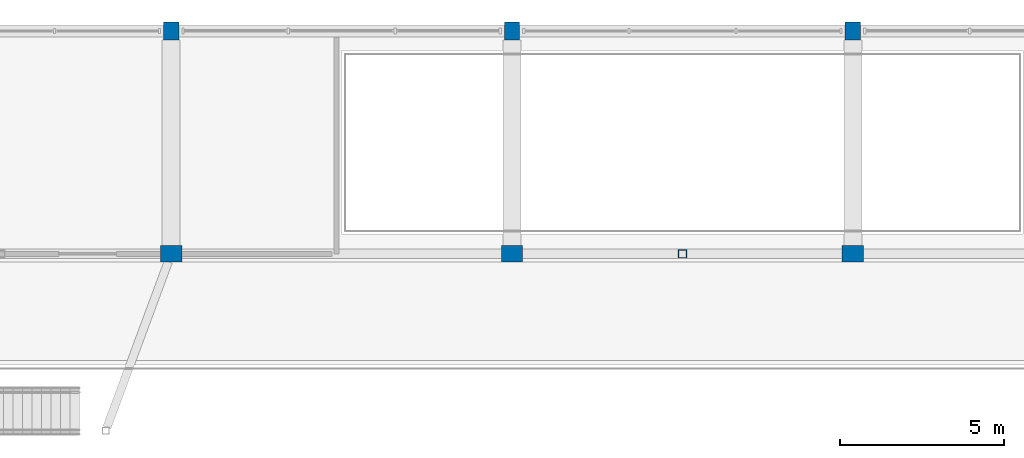
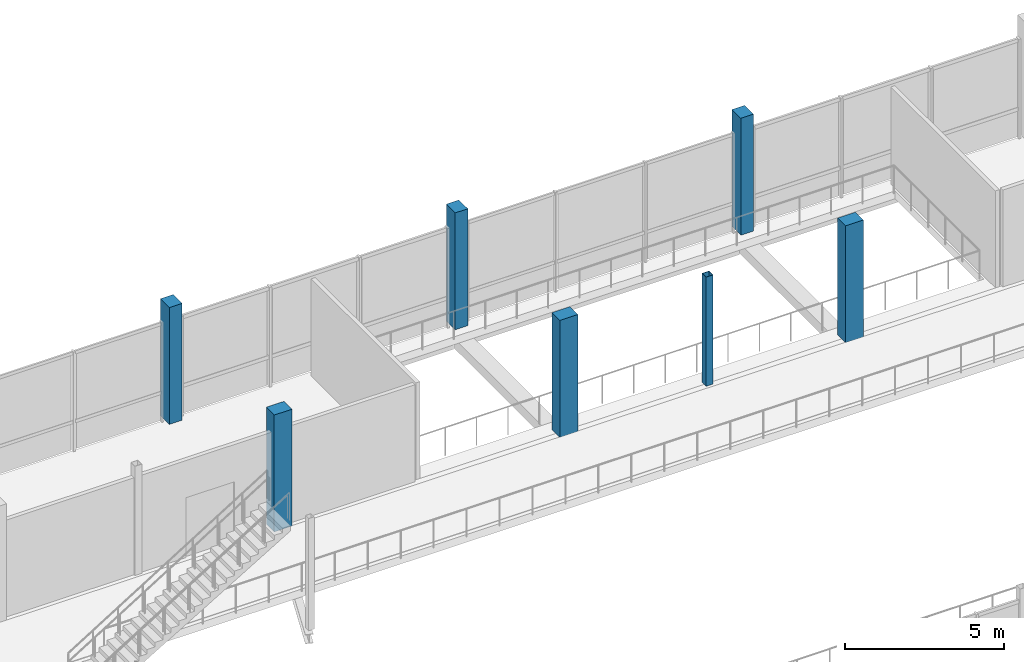
# One storey, part 11 of 95: 7 columns.
"""IFC4 building model written with IfcOpenShell, lengths in metres."""

from ifc_helpers import new_model, si_unit, derived_unit, direction, frame, origin, origin_2d, place, context, subcontext, project, spatial, rectangle, hollow_rectangle, extrude, material, material_profile, profile_set, type_object, element, save


model = new_model("IFC4")

# Units and contexts
model_context = context("Model", 3, precision=1e-05, world=origin(), true_north=direction((0.0, 1.0)))
body_context = subcontext(model_context, "Body", "Model", "MODEL_VIEW")
ifc_project = project(units=[si_unit("LENGTHUNIT", "METRE"), si_unit("AREAUNIT", "SQUARE_METRE"), si_unit("VOLUMEUNIT", "CUBIC_METRE"), si_unit("PLANEANGLEUNIT", "RADIAN"), si_unit("MASSUNIT", "GRAM", prefix="KILO"), derived_unit("THERMALTRANSMITTANCEUNIT", [(si_unit("POWERUNIT", "WATT"), 1), (si_unit("LENGTHUNIT", "METRE"), -2), (si_unit("THERMODYNAMICTEMPERATUREUNIT", "KELVIN"), -1)])], contexts=[model_context])

# Site, building, storey
site_placement = place(None, origin())
site = spatial("IfcSite", under=ifc_project, at=site_placement, CompositionType="ELEMENT")
building_placement = place(site_placement, origin())
building = spatial("IfcBuilding", under=site, at=building_placement, Name="Braskholm Square Health Centre", CompositionType="ELEMENT")
storey_placement = place(building_placement, frame((0.0, 0.0, 4.800048828125)))
storey = spatial("IfcBuildingStorey", under=building, at=storey_placement, Name="L02", CompositionType="ELEMENT", Elevation=4.800048828125)

# Columns
ifc_material_1 = material(Name="Concrete C40/50 (f'c = 40 MPa)", Category="concrete")
ifc_material_profile_1 = material_profile(ifc_material_1, rectangle(XDim=0.64990234375, YDim=0.5, at=origin_2d()), Name="RC-650X500")
ifc_profile_set_1 = profile_set([ifc_material_profile_1], Name="Concrete C40/50 (f'c = 40 MPa)")
column_type_1 = type_object("IfcColumnType", Name="ColHallPier650x500", PredefinedType="COLUMN", material=ifc_profile_set_1)
for number, where, z_axis, x_axis, name in (
    (1, (68.39990234375, 107.0, 0.0), (0.0, 0.0, 1.0), (1.0, 0.0, 0.0), "Column 10/R L02"),
    (2, (78.800048828125, 107.0, 0.0), (0.0, 0.0, 1.0), (1.0, 0.0, 0.0), "Column 11/R L02"),
    (3, (89.199951171875, 107.0, 0.0), (0.0, 0.0, 1.0), (1.0, 0.0, 0.0), "Column 12/R L02"),
):
    element("IfcColumn", number, at=place(storey_placement, frame(where, z_axis=z_axis, x_axis=x_axis)), inside=storey, type_object=column_type_1, Name=name, PredefinedType="COLUMN", context=body_context, shape_type="SweptSolid", body=[
        extrude(rectangle(XDim=0.64990234375, YDim=0.5, at=origin_2d()), origin(), (0.0, 0.0, 1.0), 4.5),
    ])
ifc_material_2 = material(Name="Precast concrete C40/50 architectural white", Category="concrete")
ifc_material_profile_2 = material_profile(ifc_material_2, rectangle(XDim=0.4599609375, YDim=0.56005859375, at=origin_2d()), Name="RC-460X560")
ifc_profile_set_2 = profile_set([ifc_material_profile_2], Name="Precast concrete C40/50 architectural white")
column_type_2 = type_object("IfcColumnType", Name="ColPrecastFrame460x560", PredefinedType="COLUMN", material=ifc_profile_set_2)
for number, where, z_axis, x_axis, name in (
    (4, (68.39990234375, 113.800048828125, 0.0), (0.0, 0.0, 1.0), (1.0, 0.0, 0.0), "Column 10/S L02"),
    (5, (78.800048828125, 113.800048828125, 0.0), (0.0, 0.0, 1.0), (1.0, 0.0, 0.0), "Column 11/S L02"),
    (6, (89.199951171875, 113.800048828125, 0.0), (0.0, 0.0, 1.0), (1.0, 0.0, 0.0), "Column 12/S L02"),
):
    element("IfcColumn", number, at=place(storey_placement, frame(where, z_axis=z_axis, x_axis=x_axis)), inside=storey, type_object=column_type_2, Name=name, PredefinedType="COLUMN", context=body_context, shape_type="SweptSolid", body=[
        extrude(rectangle(XDim=0.4599609375, YDim=0.56005859375, at=origin_2d()), origin(), (0.0, 0.0, 1.0), 4.5),
    ])
ifc_material_3 = material(Name="Steel ASTM A500 Grade C", Category="steel")
ifc_material_profile_3 = material_profile(ifc_material_3, hollow_rectangle(XDim=0.25390625, YDim=0.25390625, WallThickness=0.01171875, at=origin_2d()), Name="HSS10X10X1/2")
ifc_profile_set_3 = profile_set([ifc_material_profile_3], Name="Steel ASTM A500 Grade C")
column_type_3 = type_object("IfcColumnType", Name="ColSteelCanopyHSS10", PredefinedType="COLUMN", material=ifc_profile_set_3)
column_placement = place(storey_placement, frame((84.0, 107.0, 0.0), z_axis=(0.0, 0.0, 1.0), x_axis=(1.0, 0.0, 0.0)))
element("IfcColumn", 7, at=column_placement, inside=storey, type_object=column_type_3, Name="Column CS2E L02", PredefinedType="COLUMN", context=body_context, shape_type="SweptSolid", body=[
    extrude(hollow_rectangle(XDim=0.25390625, YDim=0.25390625, WallThickness=0.01171875, at=origin_2d()), origin(), (0.0, 0.0, 1.0), 4.199951171875),
])

save(model, "model.ifc")
